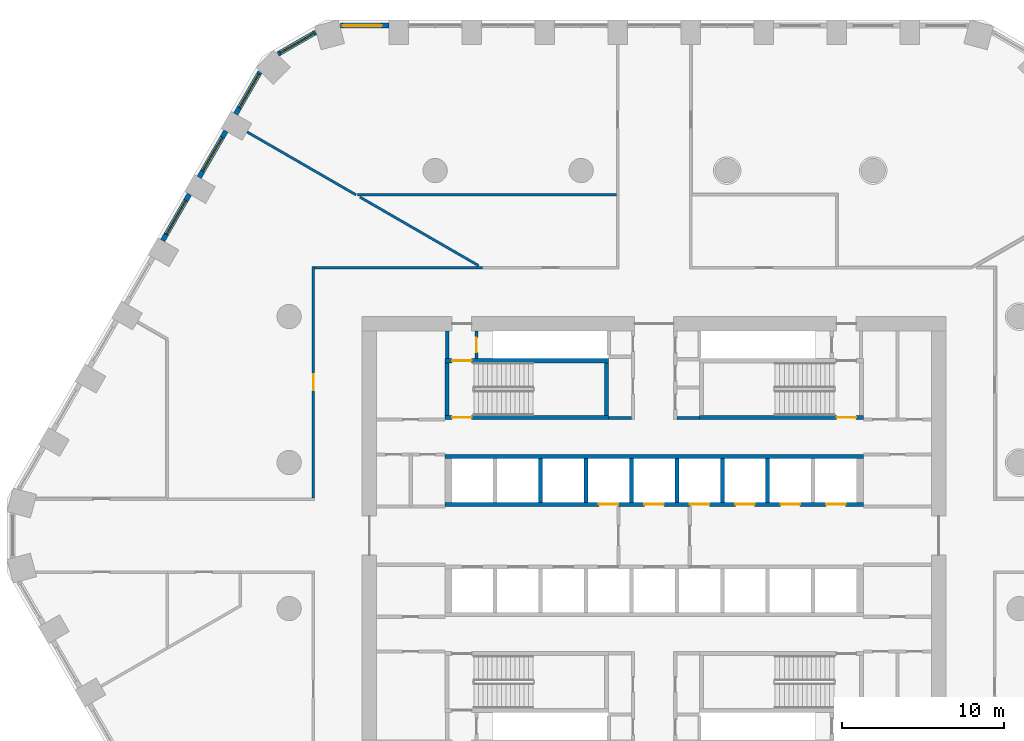
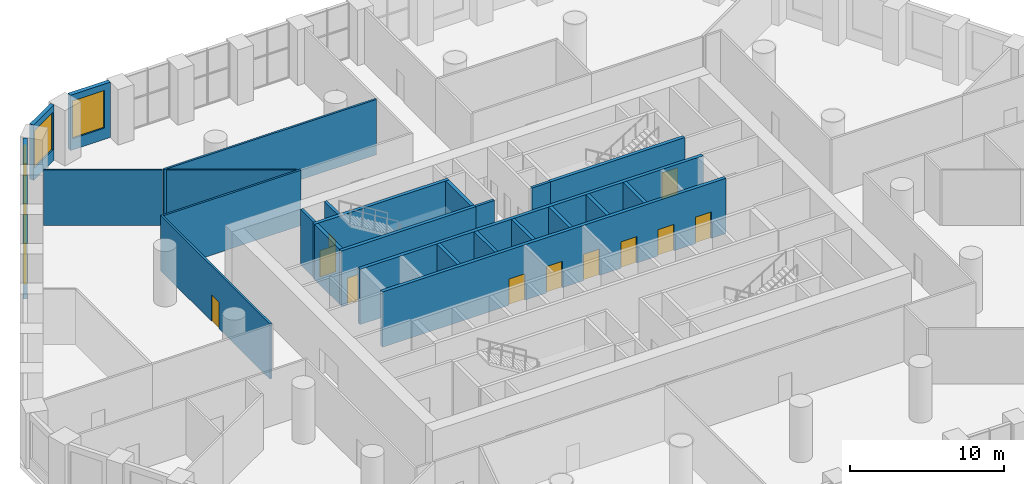
# One storey, part 10 of 26: 27 walls, 11 doors, 5 windows, 16 openings.
"""IFC4 building model written with IfcOpenShell, lengths in metres."""

from ifc_helpers import new_model, si_unit, direction, frame, frame_2d, origin, place, context, subcontext, project, spatial, polyline, rectangle, outline, extrude, material, layer, layer_set, type_object, element, fill, save


model = new_model("IFC4")

# Units and contexts
model_context = context("Model", 3, precision=1e-05, world=origin(), true_north=direction((0.0, 1.0)))
body_context = subcontext(model_context, "Body", "Model", "MODEL_VIEW")
ifc_project = project(units=[si_unit("LENGTHUNIT", "METRE"), si_unit("AREAUNIT", "SQUARE_METRE"), si_unit("VOLUMEUNIT", "CUBIC_METRE"), si_unit("PLANEANGLEUNIT", "RADIAN"), si_unit("MASSUNIT", "GRAM", prefix="KILO")], contexts=[model_context])

# Site, building, storey
site_placement = place(None, origin())
site = spatial("IfcSite", under=ifc_project, at=site_placement, CompositionType="ELEMENT")
building_placement = place(site_placement, origin())
building = spatial("IfcBuilding", under=site, at=building_placement, Name="Dhurran Vertical Campus", CompositionType="ELEMENT")
storey_placement = place(building_placement, frame((0.0, 0.0, 15.60009765625)))
storey = spatial("IfcBuildingStorey", under=building, at=storey_placement, Name="L03", CompositionType="ELEMENT", Elevation=15.60009765625)

# Wall, opening, window
ifc_material_1 = material(Name="Precast concrete C50/60", Category="concrete")
ifc_layer_1 = layer(ifc_material_1, 0.300048828125)
ifc_layer_set_1 = layer_set([ifc_layer_1], Name="Precast concrete C50/60")
wall_type_1 = type_object("IfcWallType", Name="Precast spandrel wall 300", PredefinedType="SOLIDWALL", material=ifc_layer_set_1)
wall_1_placement = place(storey_placement, frame((-16.3505859375, 31.4296875, 0.0), z_axis=(0.0, 0.0, 1.0), x_axis=(-1.0, 0.0, 0.0)))
wall_1 = element("IfcWall", 1, at=wall_1_placement, inside=storey, type_object=wall_type_1, Name="EW1 L03.34", PredefinedType="SOLIDWALL", context=body_context, shape_type="SweptSolid", body=[
    extrude(rectangle(XDim=2.98876953125, YDim=0.300048828125, at=frame_2d((1.494384765625, 0.0))), origin(), (0.0, 0.0, 1.0), 4.39990234375),
])
opening_1_placement = place(wall_1_placement, frame((0.449462890625, 0.0, 0.89990234375)))
opening_1 = element("IfcOpeningElement", 2, at=opening_1_placement, cuts=wall_1, Name="Opening WT2", PredefinedType="OPENING", context=body_context, shape_type="SweptSolid", body=[
    extrude(rectangle(XDim=2.39990234375, YDim=3.0, at=frame_2d((1.199951171875, 1.5))), frame((0.0, 0.159912109375, 0.0), z_axis=(0.0, -1.0, 0.0), x_axis=(1.0, 0.0, 0.0)), (0.0, 0.0, 1.0), 0.320068359375),
])
ifc_material_2 = material(Name="Aluminium frame with solar-control glass", Category="aluminium")
window_type = type_object("IfcWindowType", Name="Podium window 2400 x 3000", PartitioningType="SINGLE_PANEL", PredefinedType="WINDOW", material=ifc_material_2)
window_1_placement = place(opening_1_placement, origin())
window_1 = element("IfcWindow", 3, at=window_1_placement, inside=storey, type_object=window_type, Name="WT2 L03.34", OverallHeight=3.0, OverallWidth=2.39990234375, PartitioningType="SINGLE_PANEL", PredefinedType="WINDOW", context=body_context, shape_type="SweptSolid", body=[
    extrude(rectangle(XDim=2.39990234375, YDim=3.0, at=frame_2d((1.199951171875, 1.5))), frame((0.0, 0.030029296875, 0.0), z_axis=(0.0, -1.0, 0.0), x_axis=(1.0, 0.0, 0.0)), (0.0, 0.0, 1.0), 0.06005859375),
])
fill(opening_1, window_1)

wall_2_placement = place(storey_placement, frame((-20.86376953125, 31.021240234375, 0.0), z_axis=(0.0, 0.0, 1.0), x_axis=(-0.866001915448, -0.500040680786, 0.0)))
wall_2 = element("IfcWall", 4, at=wall_2_placement, inside=storey, type_object=wall_type_1, Name="EW1 L03.35", PredefinedType="SOLIDWALL", context=body_context, shape_type="SweptSolid", body=[
    extrude(rectangle(XDim=2.678466796875, YDim=0.300048828125, at=frame_2d((1.33935546875, 0.0))), origin(), (0.0, 0.0, 1.0), 4.39990234375),
])
opening_2_placement = place(wall_2_placement, frame((0.139404296875, 0.0, 0.89990234375)))
opening_2 = element("IfcOpeningElement", 5, at=opening_2_placement, cuts=wall_2, Name="Opening WT2", PredefinedType="OPENING", context=body_context, shape_type="SweptSolid", body=[
    extrude(rectangle(XDim=2.39990234375, YDim=3.0, at=frame_2d((1.199951171875, 1.5))), frame((0.0, 0.159912109375, 0.0), z_axis=(0.0, -1.0, 0.0), x_axis=(1.0, 0.0, 0.0)), (0.0, 0.0, 1.0), 0.320068359375),
])
window_2_placement = place(opening_2_placement, origin())
window_2 = element("IfcWindow", 6, at=window_2_placement, inside=storey, type_object=window_type, Name="WT2 L03.35", OverallHeight=3.0, OverallWidth=2.39990234375, PartitioningType="SINGLE_PANEL", PredefinedType="WINDOW", context=body_context, shape_type="SweptSolid", body=[
    extrude(rectangle(XDim=2.39990234375, YDim=3.0, at=frame_2d((1.199951171875, 1.5))), frame((0.0, 0.030029296875, 0.0), z_axis=(0.0, -1.0, 0.0), x_axis=(1.0, 0.0, 0.0)), (0.0, 0.0, 1.0), 0.06005859375),
])
fill(opening_2, window_2)

wall_3_placement = place(storey_placement, frame((-24.29931640625, 28.566162109375, 0.0), z_axis=(0.0, 0.0, 1.0), x_axis=(-0.49999586137, -0.866027793211, 0.0)))
wall_3 = element("IfcWall", 7, at=wall_3_placement, inside=storey, type_object=wall_type_1, Name="EW1 L03.36", PredefinedType="SOLIDWALL", context=body_context, shape_type="SweptSolid", body=[
    extrude(rectangle(XDim=2.98876953125, YDim=0.300048828125, at=frame_2d((1.494384765625, 0.0))), origin(), (0.0, 0.0, 1.0), 4.39990234375),
])
opening_3_placement = place(wall_3_placement, frame((0.139404296875, 0.0, 0.89990234375)))
opening_3 = element("IfcOpeningElement", 8, at=opening_3_placement, cuts=wall_3, Name="Opening WT2", PredefinedType="OPENING", context=body_context, shape_type="SweptSolid", body=[
    extrude(rectangle(XDim=2.39990234375, YDim=3.0, at=frame_2d((1.199951171875, 1.5))), frame((0.0, 0.159912109375, 0.0), z_axis=(0.0, -1.0, 0.0), x_axis=(1.0, 0.0, 0.0)), (0.0, 0.0, 1.0), 0.320068359375),
])
window_3_placement = place(opening_3_placement, origin())
window_3 = element("IfcWindow", 9, at=window_3_placement, inside=storey, type_object=window_type, Name="WT2 L03.36", OverallHeight=3.0, OverallWidth=2.39990234375, PartitioningType="SINGLE_PANEL", PredefinedType="WINDOW", context=body_context, shape_type="SweptSolid", body=[
    extrude(rectangle(XDim=2.39990234375, YDim=3.0, at=frame_2d((1.199951171875, 1.5))), frame((0.0, 0.030029296875, 0.0), z_axis=(0.0, -1.0, 0.0), x_axis=(1.0, 0.0, 0.0)), (0.0, 0.0, 1.0), 0.06005859375),
])
fill(opening_3, window_3)

wall_4_placement = place(storey_placement, frame((-26.394287109375, 24.9375, 0.0), z_axis=(0.0, 0.0, 1.0), x_axis=(-0.499991515992, -0.866030301974, 0.0)))
wall_4 = element("IfcWall", 10, at=wall_4_placement, inside=storey, type_object=wall_type_1, Name="EW1 L03.37", PredefinedType="SOLIDWALL", context=body_context, shape_type="SweptSolid", body=[
    extrude(rectangle(XDim=3.298828125, YDim=0.300048828125, at=frame_2d((1.6494140625, 0.0))), origin(), (0.0, 0.0, 1.0), 4.39990234375),
])
opening_4_placement = place(wall_4_placement, frame((0.449462890625, 0.0, 0.89990234375)))
opening_4 = element("IfcOpeningElement", 11, at=opening_4_placement, cuts=wall_4, Name="Opening WT2", PredefinedType="OPENING", context=body_context, shape_type="SweptSolid", body=[
    extrude(rectangle(XDim=2.39990234375, YDim=3.0, at=frame_2d((1.199951171875, 1.5))), frame((0.0, 0.159912109375, 0.0), z_axis=(0.0, -1.0, 0.0), x_axis=(1.0, 0.0, 0.0)), (0.0, 0.0, 1.0), 0.320068359375),
])
window_4_placement = place(opening_4_placement, origin())
window_4 = element("IfcWindow", 12, at=window_4_placement, inside=storey, type_object=window_type, Name="WT2 L03.37", OverallHeight=3.0, OverallWidth=2.39990234375, PartitioningType="SINGLE_PANEL", PredefinedType="WINDOW", context=body_context, shape_type="SweptSolid", body=[
    extrude(rectangle(XDim=2.39990234375, YDim=3.0, at=frame_2d((1.199951171875, 1.5))), frame((0.0, 0.030029296875, 0.0), z_axis=(0.0, -1.0, 0.0), x_axis=(1.0, 0.0, 0.0)), (0.0, 0.0, 1.0), 0.06005859375),
])
fill(opening_4, window_4)

wall_5_placement = place(storey_placement, frame((-28.644287109375, 21.04052734375, 0.0), z_axis=(0.0, 0.0, 1.0), x_axis=(-0.499991515992, -0.866030301974, 0.0)))
wall_5 = element("IfcWall", 13, at=wall_5_placement, inside=storey, type_object=wall_type_1, Name="EW1 L03.38", PredefinedType="SOLIDWALL", context=body_context, shape_type="SweptSolid", body=[
    extrude(rectangle(XDim=3.298828125, YDim=0.300048828125, at=frame_2d((1.6494140625, 0.0))), origin(), (0.0, 0.0, 1.0), 4.39990234375),
])
opening_5_placement = place(wall_5_placement, frame((0.449462890625, 0.0, 0.89990234375)))
opening_5 = element("IfcOpeningElement", 14, at=opening_5_placement, cuts=wall_5, Name="Opening WT2", PredefinedType="OPENING", context=body_context, shape_type="SweptSolid", body=[
    extrude(rectangle(XDim=2.39990234375, YDim=3.0, at=frame_2d((1.199951171875, 1.5))), frame((0.0, 0.159912109375, 0.0), z_axis=(0.0, -1.0, 0.0), x_axis=(1.0, 0.0, 0.0)), (0.0, 0.0, 1.0), 0.320068359375),
])
window_5_placement = place(opening_5_placement, origin())
window_5 = element("IfcWindow", 15, at=window_5_placement, inside=storey, type_object=window_type, Name="WT2 L03.38", OverallHeight=3.0, OverallWidth=2.39990234375, PartitioningType="SINGLE_PANEL", PredefinedType="WINDOW", context=body_context, shape_type="SweptSolid", body=[
    extrude(rectangle(XDim=2.39990234375, YDim=3.0, at=frame_2d((1.199951171875, 1.5))), frame((0.0, 0.030029296875, 0.0), z_axis=(0.0, -1.0, 0.0), x_axis=(1.0, 0.0, 0.0)), (0.0, 0.0, 1.0), 0.06005859375),
])
fill(opening_5, window_5)

# Walls
ifc_material_3 = material(Name="Fire-rated masonry blockwork", Category="masonry")
ifc_layer_2 = layer(ifc_material_3, 0.199951171875)
ifc_layer_set_2 = layer_set([ifc_layer_2], Name="Fire-rated masonry blockwork")
wall_type_2 = type_object("IfcWallType", Name="co-FIRE-PARTITION-200", PredefinedType="PARTITIONING", material=ifc_layer_set_2)
for number, where, z_axis, x_axis, name in (
    (16, (-2.800048828125, 7.25, 0.0), (0.0, 0.0, 1.0), (1.0, 0.0, 0.0), "Core partition sl-NW-S L03"),
    (17, (1.39990234375, 7.25, 0.0), (0.0, 0.0, 1.0), (1.0, 0.0, 0.0), "Core partition sl-NE-S L03"),
):
    element("IfcWall", number, at=place(storey_placement, frame(where, z_axis=z_axis, x_axis=x_axis)), inside=storey, type_object=wall_type_2, Name=name, PredefinedType="PARTITIONING", context=body_context, shape_type="SweptSolid", body=[
        extrude(rectangle(XDim=1.400146484375, YDim=0.199951171875, at=frame_2d((0.7001953125, 0.0))), origin(), (0.0, 0.0, 1.0), 4.39990234375),
    ])
wall_6_placement = place(storey_placement, frame((-12.75, 10.89990234375, 0.0), z_axis=(0.0, 0.0, 1.0), x_axis=(0.0, 1.0, 0.0)))
element("IfcWall", 18, at=wall_6_placement, inside=storey, type_object=wall_type_2, Name="Core partition pass-ST1-o L03", PredefinedType="PARTITIONING", context=body_context, shape_type="SweptSolid", body=[
    extrude(rectangle(XDim=1.7001953125, YDim=0.199951171875, at=frame_2d((0.85009765625, 0.0))), origin(), (0.0, 0.0, 1.0), 4.39990234375),
])

# Wall, opening, door
wall_7_placement = place(storey_placement, frame((-10.949951171875, 10.89990234375, 0.0), z_axis=(0.0, 0.0, 1.0), x_axis=(0.0, 1.0, 0.0)))
wall_7 = element("IfcWall", 19, at=wall_7_placement, inside=storey, type_object=wall_type_2, Name="Core partition pass-ST1-i L03", PredefinedType="PARTITIONING", context=body_context, shape_type="SweptSolid", body=[
    extrude(rectangle(XDim=1.7001953125, YDim=0.199951171875, at=frame_2d((0.85009765625, 0.0))), origin(), (0.0, 0.0, 1.0), 4.39990234375),
])
opening_6_placement = place(wall_7_placement, frame((0.39990234375, 0.0, 0.0)))
opening_6 = element("IfcOpeningElement", 20, at=opening_6_placement, cuts=wall_7, Name="Opening PD03-C10", PredefinedType="OPENING", context=body_context, shape_type="SweptSolid", body=[
    extrude(rectangle(XDim=0.89990234375, YDim=2.10009765625, at=frame_2d((0.449951171875, 1.050048828125))), frame((0.0, 0.10986328125, 0.0), z_axis=(0.0, -1.0, 0.0), x_axis=(1.0, 0.0, 0.0)), (0.0, 0.0, 1.0), 0.219970703125),
])
ifc_material_4 = material(Name="Fire-rated timber door set", Category="wood")
door_type_1 = type_object("IfcDoorType", Name="co-D-ROOM 900x2100", OperationType="SINGLE_SWING_LEFT", PredefinedType="DOOR", material=ifc_material_4)
door_1_placement = place(opening_6_placement, origin())
door_1 = element("IfcDoor", 21, at=door_1_placement, inside=storey, type_object=door_type_1, Name="Riser room door L03", OperationType="SINGLE_SWING_LEFT", OverallHeight=2.10009765625, OverallWidth=0.89990234375, PredefinedType="DOOR", context=body_context, shape_type="SweptSolid", body=[
    extrude(rectangle(XDim=0.89990234375, YDim=2.10009765625, at=frame_2d((0.449951171875, 1.050048828125))), frame((0.0, 0.02490234375, 0.0), z_axis=(0.0, -1.0, 0.0), x_axis=(1.0, 0.0, 0.0)), (0.0, 0.0, 1.0), 0.050048828125),
])
fill(opening_6, door_1)

# Wall, openings, doors
ifc_material_5 = material(Name="Concrete C50/60", Category="concrete")
ifc_layer_3 = layer(ifc_material_5, 0.25)
ifc_layer_set_3 = layer_set([ifc_layer_3], Name="Concrete C50/60")
wall_type_3 = type_object("IfcWallType", Name="co-SHAFT-FRONT-250", PredefinedType="SHEAR", material=ifc_layer_set_3)
wall_8_placement = place(storey_placement, frame((-12.89990234375, 1.925048828125, 0.0), z_axis=(0.0, 0.0, 1.0), x_axis=(1.0, 0.0, 0.0)))
wall_8 = element("IfcWall", 22, at=wall_8_placement, inside=storey, type_object=wall_type_3, Name="Lift landing wall N L03", PredefinedType="SHEAR", context=body_context, shape_type="SweptSolid", body=[
    extrude(rectangle(XDim=25.7998046875, YDim=0.25, at=frame_2d((12.89990234375, 0.0))), origin(), (0.0, 0.0, 1.0), 4.39990234375),
])
opening_7_placement = place(wall_8_placement, frame((9.5, 0.0, 0.0)))
opening_7 = element("IfcOpeningElement", 23, at=opening_7_placement, cuts=wall_8, Name="Opening LD", PredefinedType="OPENING", context=body_context, shape_type="SweptSolid", body=[
    extrude(rectangle(XDim=1.199951171875, YDim=2.10009765625, at=frame_2d((0.60009765625, 1.050048828125))), frame((0.0, 0.135009765625, 0.0), z_axis=(0.0, -1.0, 0.0), x_axis=(1.0, 0.0, 0.0)), (0.0, 0.0, 1.0), 0.27001953125),
])
opening_8_placement = place(wall_8_placement, frame((12.300048828125, 0.0, 0.0)))
opening_8 = element("IfcOpeningElement", 24, at=opening_8_placement, cuts=wall_8, Name="Opening LD", PredefinedType="OPENING", context=body_context, shape_type="SweptSolid", body=[
    extrude(rectangle(XDim=1.199951171875, YDim=2.10009765625, at=frame_2d((0.60009765625, 1.050048828125))), frame((0.0, 0.135009765625, 0.0), z_axis=(0.0, -1.0, 0.0), x_axis=(1.0, 0.0, 0.0)), (0.0, 0.0, 1.0), 0.27001953125),
])
opening_9_placement = place(wall_8_placement, frame((15.10009765625, 0.0, 0.0)))
opening_9 = element("IfcOpeningElement", 25, at=opening_9_placement, cuts=wall_8, Name="Opening LD", PredefinedType="OPENING", context=body_context, shape_type="SweptSolid", body=[
    extrude(rectangle(XDim=1.199951171875, YDim=2.10009765625, at=frame_2d((0.60009765625, 1.050048828125))), frame((0.0, 0.135009765625, 0.0), z_axis=(0.0, -1.0, 0.0), x_axis=(1.0, 0.0, 0.0)), (0.0, 0.0, 1.0), 0.27001953125),
])
opening_10_placement = place(wall_8_placement, frame((17.89990234375, 0.0, 0.0)))
opening_10 = element("IfcOpeningElement", 26, at=opening_10_placement, cuts=wall_8, Name="Opening LD", PredefinedType="OPENING", context=body_context, shape_type="SweptSolid", body=[
    extrude(rectangle(XDim=1.199951171875, YDim=2.10009765625, at=frame_2d((0.60009765625, 1.050048828125))), frame((0.0, 0.135009765625, 0.0), z_axis=(0.0, -1.0, 0.0), x_axis=(1.0, 0.0, 0.0)), (0.0, 0.0, 1.0), 0.27001953125),
])
opening_11_placement = place(wall_8_placement, frame((20.699951171875, 0.0, 0.0)))
opening_11 = element("IfcOpeningElement", 27, at=opening_11_placement, cuts=wall_8, Name="Opening LD", PredefinedType="OPENING", context=body_context, shape_type="SweptSolid", body=[
    extrude(rectangle(XDim=1.199951171875, YDim=2.10009765625, at=frame_2d((0.60009765625, 1.050048828125))), frame((0.0, 0.135009765625, 0.0), z_axis=(0.0, -1.0, 0.0), x_axis=(1.0, 0.0, 0.0)), (0.0, 0.0, 1.0), 0.27001953125),
])
opening_12_placement = place(wall_8_placement, frame((23.5, 0.0, 0.0)))
opening_12 = element("IfcOpeningElement", 28, at=opening_12_placement, cuts=wall_8, Name="Opening LD", PredefinedType="OPENING", context=body_context, shape_type="SweptSolid", body=[
    extrude(rectangle(XDim=1.199951171875, YDim=2.10009765625, at=frame_2d((0.60009765625, 1.050048828125))), frame((0.0, 0.135009765625, 0.0), z_axis=(0.0, -1.0, 0.0), x_axis=(1.0, 0.0, 0.0)), (0.0, 0.0, 1.0), 0.27001953125),
])
ifc_material_6 = material(Name="Stainless steel landing door", Category="steel")
door_type_2 = type_object("IfcDoorType", Name="co-D-LANDING 1200x2100", OperationType="DOUBLE_DOOR_SLIDING", PredefinedType="DOOR", material=ifc_material_6)
door_2_placement = place(opening_7_placement, origin())
door_2 = element("IfcDoor", 29, at=door_2_placement, inside=storey, type_object=door_type_2, Name="Landing door LR1 L03", OperationType="DOUBLE_DOOR_SLIDING", OverallHeight=2.10009765625, OverallWidth=1.199951171875, PredefinedType="DOOR", context=body_context, shape_type="SweptSolid", body=[
    extrude(rectangle(XDim=1.199951171875, YDim=2.10009765625, at=frame_2d((0.60009765625, 1.050048828125))), frame((0.0, 0.02490234375, 0.0), z_axis=(0.0, -1.0, 0.0), x_axis=(1.0, 0.0, 0.0)), (0.0, 0.0, 1.0), 0.050048828125),
])
fill(opening_7, door_2)
door_3_placement = place(opening_8_placement, origin())
door_3 = element("IfcDoor", 30, at=door_3_placement, inside=storey, type_object=door_type_2, Name="Landing door FF1 L03", OperationType="DOUBLE_DOOR_SLIDING", OverallHeight=2.10009765625, OverallWidth=1.199951171875, PredefinedType="DOOR", context=body_context, shape_type="SweptSolid", body=[
    extrude(rectangle(XDim=1.199951171875, YDim=2.10009765625, at=frame_2d((0.60009765625, 1.050048828125))), frame((0.0, 0.02490234375, 0.0), z_axis=(0.0, -1.0, 0.0), x_axis=(1.0, 0.0, 0.0)), (0.0, 0.0, 1.0), 0.050048828125),
])
fill(opening_8, door_3)
door_4_placement = place(opening_9_placement, origin())
door_4 = element("IfcDoor", 31, at=door_4_placement, inside=storey, type_object=door_type_2, Name="Landing door LR2 L03", OperationType="DOUBLE_DOOR_SLIDING", OverallHeight=2.10009765625, OverallWidth=1.199951171875, PredefinedType="DOOR", context=body_context, shape_type="SweptSolid", body=[
    extrude(rectangle(XDim=1.199951171875, YDim=2.10009765625, at=frame_2d((0.60009765625, 1.050048828125))), frame((0.0, 0.02490234375, 0.0), z_axis=(0.0, -1.0, 0.0), x_axis=(1.0, 0.0, 0.0)), (0.0, 0.0, 1.0), 0.050048828125),
])
fill(opening_9, door_4)
door_5_placement = place(opening_10_placement, origin())
door_5 = element("IfcDoor", 32, at=door_5_placement, inside=storey, type_object=door_type_2, Name="Landing door LR3 L03", OperationType="DOUBLE_DOOR_SLIDING", OverallHeight=2.10009765625, OverallWidth=1.199951171875, PredefinedType="DOOR", context=body_context, shape_type="SweptSolid", body=[
    extrude(rectangle(XDim=1.199951171875, YDim=2.10009765625, at=frame_2d((0.60009765625, 1.050048828125))), frame((0.0, 0.02490234375, 0.0), z_axis=(0.0, -1.0, 0.0), x_axis=(1.0, 0.0, 0.0)), (0.0, 0.0, 1.0), 0.050048828125),
])
fill(opening_10, door_5)
door_6_placement = place(opening_11_placement, origin())
door_6 = element("IfcDoor", 33, at=door_6_placement, inside=storey, type_object=door_type_2, Name="Landing door LR4 L03", OperationType="DOUBLE_DOOR_SLIDING", OverallHeight=2.10009765625, OverallWidth=1.199951171875, PredefinedType="DOOR", context=body_context, shape_type="SweptSolid", body=[
    extrude(rectangle(XDim=1.199951171875, YDim=2.10009765625, at=frame_2d((0.60009765625, 1.050048828125))), frame((0.0, 0.02490234375, 0.0), z_axis=(0.0, -1.0, 0.0), x_axis=(1.0, 0.0, 0.0)), (0.0, 0.0, 1.0), 0.050048828125),
])
fill(opening_11, door_6)
door_7_placement = place(opening_12_placement, origin())
door_7 = element("IfcDoor", 34, at=door_7_placement, inside=storey, type_object=door_type_2, Name="Landing door SV2 L03", OperationType="DOUBLE_DOOR_SLIDING", OverallHeight=2.10009765625, OverallWidth=1.199951171875, PredefinedType="DOOR", context=body_context, shape_type="SweptSolid", body=[
    extrude(rectangle(XDim=1.199951171875, YDim=2.10009765625, at=frame_2d((0.60009765625, 1.050048828125))), frame((0.0, 0.02490234375, 0.0), z_axis=(0.0, -1.0, 0.0), x_axis=(1.0, 0.0, 0.0)), (0.0, 0.0, 1.0), 0.050048828125),
])
fill(opening_12, door_7)

# Walls
ifc_material_7 = material(Name="Concrete C50/60", Category="concrete")
ifc_layer_4 = layer(ifc_material_7, 0.25)
ifc_layer_set_4 = layer_set([ifc_layer_4], Name="Concrete C50/60")
wall_type_4 = type_object("IfcWallType", Name="co-SHAFT-MASS-250", PredefinedType="SHEAR", material=ifc_layer_set_4)
wall_9_placement = place(storey_placement, origin())
element("IfcWall", 35, at=wall_9_placement, inside=storey, type_object=wall_type_4, Name="Lift shaft wall N L03 1", PredefinedType="SHEAR", context=body_context, shape_type="SweptSolid", body=[
    extrude(outline(polyline([(-12.89990234375, 4.75), (12.89990234375, 4.75), (12.89990234375, 5.0), (-12.89990234375, 5.0), (-12.89990234375, 4.75)])), origin(), (0.0, 0.0, 1.0), 4.39990234375),
])
wall_10_placement = place(storey_placement, origin())
element("IfcWall", 36, at=wall_10_placement, inside=storey, type_object=wall_type_4, Name="Lift shaft wall N L03 4", PredefinedType="SHEAR", context=body_context, shape_type="SweptSolid", body=[
    extrude(outline(polyline([(-7.125, 2.050048828125), (-6.875, 2.050048828125), (-6.875, 4.75), (-7.125, 4.75), (-7.125, 2.050048828125)])), origin(), (0.0, 0.0, 1.0), 4.39990234375),
])
wall_11_placement = place(storey_placement, origin())
element("IfcWall", 37, at=wall_11_placement, inside=storey, type_object=wall_type_4, Name="Lift shaft wall N L03 5", PredefinedType="SHEAR", context=body_context, shape_type="SweptSolid", body=[
    extrude(outline(polyline([(-4.324951171875, 2.050048828125), (-4.074951171875, 2.050048828125), (-4.074951171875, 4.75), (-4.324951171875, 4.75), (-4.324951171875, 2.050048828125)])), origin(), (0.0, 0.0, 1.0), 4.39990234375),
])
wall_12_placement = place(storey_placement, origin())
element("IfcWall", 38, at=wall_12_placement, inside=storey, type_object=wall_type_4, Name="Lift shaft wall N L03 6", PredefinedType="SHEAR", context=body_context, shape_type="SweptSolid", body=[
    extrude(outline(polyline([(-1.52490234375, 2.050048828125), (-1.27490234375, 2.050048828125), (-1.27490234375, 4.75), (-1.52490234375, 4.75), (-1.52490234375, 2.050048828125)])), origin(), (0.0, 0.0, 1.0), 4.39990234375),
])
wall_13_placement = place(storey_placement, origin())
element("IfcWall", 39, at=wall_13_placement, inside=storey, type_object=wall_type_4, Name="Lift shaft wall N L03 7", PredefinedType="SHEAR", context=body_context, shape_type="SweptSolid", body=[
    extrude(outline(polyline([(1.27490234375, 2.050048828125), (1.52490234375, 2.050048828125), (1.52490234375, 4.75), (1.27490234375, 4.75), (1.27490234375, 2.050048828125)])), origin(), (0.0, 0.0, 1.0), 4.39990234375),
])
wall_14_placement = place(storey_placement, origin())
element("IfcWall", 40, at=wall_14_placement, inside=storey, type_object=wall_type_4, Name="Lift shaft wall N L03 8", PredefinedType="SHEAR", context=body_context, shape_type="SweptSolid", body=[
    extrude(outline(polyline([(4.074951171875, 2.050048828125), (4.324951171875, 2.050048828125), (4.324951171875, 4.75), (4.074951171875, 4.75), (4.074951171875, 2.050048828125)])), origin(), (0.0, 0.0, 1.0), 4.39990234375),
])
wall_15_placement = place(storey_placement, origin())
element("IfcWall", 41, at=wall_15_placement, inside=storey, type_object=wall_type_4, Name="Lift shaft wall N L03 9", PredefinedType="SHEAR", context=body_context, shape_type="SweptSolid", body=[
    extrude(outline(polyline([(6.875, 2.050048828125), (7.125, 2.050048828125), (7.125, 4.75), (6.875, 4.75), (6.875, 2.050048828125)])), origin(), (0.0, 0.0, 1.0), 4.39990234375),
])

# Wall, opening, door
ifc_material_8 = material(Name="Concrete C40/50", Category="concrete")
ifc_layer_5 = layer(ifc_material_8, 0.25)
ifc_layer_set_5 = layer_set([ifc_layer_5], Name="Concrete C40/50")
wall_type_5 = type_object("IfcWallType", Name="co-STAIR-WALL-250", PredefinedType="SHEAR", material=ifc_layer_set_5)
wall_16_placement = place(storey_placement, frame((-12.89990234375, 7.27490234375, 0.0), z_axis=(0.0, 0.0, 1.0), x_axis=(1.0, 0.0, 0.0)))
wall_16 = element("IfcWall", 42, at=wall_16_placement, inside=storey, type_object=wall_type_5, Name="Stair ST1 enclosure wall L03", PredefinedType="SHEAR", context=body_context, shape_type="SweptSolid", body=[
    extrude(rectangle(XDim=10.099853515625, YDim=0.25, at=frame_2d((5.0498046875, 0.0))), origin(), (0.0, 0.0, 1.0), 4.39990234375),
])
opening_13_placement = place(wall_16_placement, frame((0.449951171875, 0.0, 0.0)))
opening_13 = element("IfcOpeningElement", 43, at=opening_13_placement, cuts=wall_16, Name="Opening SD1", PredefinedType="OPENING", context=body_context, shape_type="SweptSolid", body=[
    extrude(rectangle(XDim=1.199951171875, YDim=2.10009765625, at=frame_2d((0.60009765625, 1.050048828125))), frame((0.0, 0.135009765625, 0.0), z_axis=(0.0, -1.0, 0.0), x_axis=(1.0, 0.0, 0.0)), (0.0, 0.0, 1.0), 0.27001953125),
])
ifc_material_9 = material(Name="Fire-rated steel door set", Category="steel")
door_type_3 = type_object("IfcDoorType", Name="co-D-STAIR 1200x2100", OperationType="SINGLE_SWING_LEFT", PredefinedType="DOOR", material=ifc_material_9)
door_8_placement = place(opening_13_placement, origin())
door_8 = element("IfcDoor", 44, at=door_8_placement, inside=storey, type_object=door_type_3, Name="Stair ST1 door L03", OperationType="SINGLE_SWING_LEFT", OverallHeight=2.10009765625, OverallWidth=1.199951171875, PredefinedType="DOOR", context=body_context, shape_type="SweptSolid", body=[
    extrude(rectangle(XDim=1.199951171875, YDim=2.10009765625, at=frame_2d((0.60009765625, 1.050048828125))), frame((0.0, 0.02490234375, 0.0), z_axis=(0.0, -1.0, 0.0), x_axis=(1.0, 0.0, 0.0)), (0.0, 0.0, 1.0), 0.050048828125),
])
fill(opening_13, door_8)

wall_17_placement = place(storey_placement, frame((-12.89990234375, 10.77490234375, 0.0), z_axis=(0.0, 0.0, 1.0), x_axis=(1.0, 0.0, 0.0)))
wall_17 = element("IfcWall", 45, at=wall_17_placement, inside=storey, type_object=wall_type_5, Name="Stair ST1 enclosure wall L03", PredefinedType="SHEAR", context=body_context, shape_type="SweptSolid", body=[
    extrude(rectangle(XDim=10.099853515625, YDim=0.25, at=frame_2d((5.0498046875, 0.0))), origin(), (0.0, 0.0, 1.0), 4.39990234375),
])
opening_14_placement = place(wall_17_placement, frame((0.449951171875, 0.0, 0.0)))
opening_14 = element("IfcOpeningElement", 46, at=opening_14_placement, cuts=wall_17, Name="Opening XS1", PredefinedType="OPENING", context=body_context, shape_type="SweptSolid", body=[
    extrude(rectangle(XDim=1.199951171875, YDim=2.10009765625, at=frame_2d((0.60009765625, 1.050048828125))), frame((0.0, 0.135009765625, 0.0), z_axis=(0.0, -1.0, 0.0), x_axis=(1.0, 0.0, 0.0)), (0.0, 0.0, 1.0), 0.27001953125),
])
ifc_material_10 = material(Name="Fire-rated steel door set", Category="steel")
door_type_4 = type_object("IfcDoorType", Name="co-D-STAIR-EXIT 1200x2100", OperationType="SINGLE_SWING_RIGHT", PredefinedType="DOOR", material=ifc_material_10)
door_9_placement = place(opening_14_placement, origin())
door_9 = element("IfcDoor", 47, at=door_9_placement, inside=storey, type_object=door_type_4, Name="Stair ST1 discharge door L03", OperationType="SINGLE_SWING_RIGHT", OverallHeight=2.10009765625, OverallWidth=1.199951171875, PredefinedType="DOOR", context=body_context, shape_type="SweptSolid", body=[
    extrude(rectangle(XDim=1.199951171875, YDim=2.10009765625, at=frame_2d((0.60009765625, 1.050048828125))), frame((0.0, 0.02490234375, 0.0), z_axis=(0.0, -1.0, 0.0), x_axis=(1.0, 0.0, 0.0)), (0.0, 0.0, 1.0), 0.050048828125),
])
fill(opening_14, door_9)

# Walls
for number, where, z_axis, x_axis, name in (
    (48, (-12.77490234375, 7.39990234375, 0.0), (0.0, 0.0, 1.0), (0.0, 1.0, 0.0), "Stair ST1 enclosure wall L03"),
    (49, (-2.925048828125, 7.39990234375, 0.0), (0.0, 0.0, 1.0), (0.0, 1.0, 0.0), "Stair ST1 enclosure wall L03"),
):
    element("IfcWall", number, at=place(storey_placement, frame(where, z_axis=z_axis, x_axis=x_axis)), inside=storey, type_object=wall_type_5, Name=name, PredefinedType="SHEAR", context=body_context, shape_type="SweptSolid", body=[
        extrude(rectangle(XDim=3.25, YDim=0.25, at=frame_2d((1.625, 0.0))), origin(), (0.0, 0.0, 1.0), 4.39990234375),
    ])

# Wall, opening, door
wall_18_placement = place(storey_placement, frame((2.800048828125, 7.27490234375, 0.0), z_axis=(0.0, 0.0, 1.0), x_axis=(1.0, 0.0, 0.0)))
wall_18 = element("IfcWall", 50, at=wall_18_placement, inside=storey, type_object=wall_type_5, Name="Stair ST2 enclosure wall L03", PredefinedType="SHEAR", context=body_context, shape_type="SweptSolid", body=[
    extrude(rectangle(XDim=10.099853515625, YDim=0.25, at=frame_2d((5.0498046875, 0.0))), origin(), (0.0, 0.0, 1.0), 4.39990234375),
])
opening_15_placement = place(wall_18_placement, frame((8.449951171875, 0.0, 0.0)))
opening_15 = element("IfcOpeningElement", 51, at=opening_15_placement, cuts=wall_18, Name="Opening SD2", PredefinedType="OPENING", context=body_context, shape_type="SweptSolid", body=[
    extrude(rectangle(XDim=1.199951171875, YDim=2.10009765625, at=frame_2d((0.60009765625, 1.050048828125))), frame((0.0, 0.135009765625, 0.0), z_axis=(0.0, -1.0, 0.0), x_axis=(1.0, 0.0, 0.0)), (0.0, 0.0, 1.0), 0.27001953125),
])
door_10_placement = place(opening_15_placement, origin())
door_10 = element("IfcDoor", 52, at=door_10_placement, inside=storey, type_object=door_type_3, Name="Stair ST2 door L03", OperationType="SINGLE_SWING_LEFT", OverallHeight=2.10009765625, OverallWidth=1.199951171875, PredefinedType="DOOR", context=body_context, shape_type="SweptSolid", body=[
    extrude(rectangle(XDim=1.199951171875, YDim=2.10009765625, at=frame_2d((0.60009765625, 1.050048828125))), frame((0.0, 0.02490234375, 0.0), z_axis=(0.0, -1.0, 0.0), x_axis=(1.0, 0.0, 0.0)), (0.0, 0.0, 1.0), 0.050048828125),
])
fill(opening_15, door_10)

ifc_material_11 = material(Name="Gypsum board corridor wall on steel studs", Category="steel")
ifc_layer_6 = layer(ifc_material_11, 0.14990234375)
ifc_layer_set_6 = layer_set([ifc_layer_6], Name="Gypsum board corridor wall on steel studs")
wall_type_6 = type_object("IfcWallType", Name="fl-CW-150 corridor wall", PredefinedType="PARTITIONING", material=ifc_layer_set_6)
wall_19_placement = place(storey_placement, frame((-21.0, 16.574951171875, 0.0), z_axis=(0.0, 0.0, 1.0), x_axis=(0.0, -1.0, 0.0)))
wall_19 = element("IfcWall", 53, at=wall_19_placement, inside=storey, type_object=wall_type_6, Name="Partition 03-16", PredefinedType="PARTITIONING", context=body_context, shape_type="SweptSolid", body=[
    extrude(rectangle(XDim=14.25, YDim=0.14990234375, at=frame_2d((7.125, 0.0))), origin(), (0.0, 0.0, 1.0), 4.39990234375),
])
opening_16_placement = place(wall_19_placement, frame((6.625, 0.0, 0.0)))
opening_16 = element("IfcOpeningElement", 54, at=opening_16_placement, cuts=wall_19, Name="Opening PD03.05", PredefinedType="OPENING", context=body_context, shape_type="SweptSolid", body=[
    extrude(rectangle(XDim=1.0, YDim=2.10009765625, at=frame_2d((0.5, 1.050048828125))), frame((0.0, 0.0849609375, 0.0), z_axis=(0.0, -1.0, 0.0), x_axis=(1.0, 0.0, 0.0)), (0.0, 0.0, 1.0), 0.169921875),
])
ifc_material_12 = material(Name="Solid-core timber door set, fire-rated", Category="wood")
door_type_5 = type_object("IfcDoorType", Name="fl-D-1000x2100", OperationType="SINGLE_SWING_LEFT", PredefinedType="DOOR", material=ifc_material_12)
door_11_placement = place(opening_16_placement, origin())
door_11 = element("IfcDoor", 55, at=door_11_placement, inside=storey, type_object=door_type_5, Name="Door 03.05", OperationType="SINGLE_SWING_RIGHT", OverallHeight=2.10009765625, OverallWidth=1.0, PredefinedType="DOOR", context=body_context, shape_type="SweptSolid", body=[
    extrude(rectangle(XDim=1.0, YDim=2.10009765625, at=frame_2d((0.5, 1.050048828125))), frame((0.0, 0.02490234375, 0.0), z_axis=(0.0, -1.0, 0.0), x_axis=(1.0, 0.0, 0.0)), (0.0, 0.0, 1.0), 0.050048828125),
])
fill(opening_16, door_11)

# Walls
wall_20_placement = place(storey_placement, frame((-10.5791015625, 16.5, 0.0), z_axis=(0.0, 0.0, 1.0), x_axis=(-1.0, 0.0, 0.0)))
element("IfcWall", 56, at=wall_20_placement, inside=storey, type_object=wall_type_6, Name="Partition 03-17", PredefinedType="PARTITIONING", context=body_context, shape_type="SweptSolid", body=[
    extrude(rectangle(XDim=10.345947265625, YDim=0.14990234375, at=frame_2d((5.1728515625, 0.0))), origin(), (0.0, 0.0, 1.0), 4.39990234375),
])
ifc_material_13 = material(Name="Gypsum board partition on steel studs", Category="steel")
ifc_layer_7 = layer(ifc_material_13, 0.14990234375)
ifc_layer_set_7 = layer_set([ifc_layer_7], Name="Gypsum board partition on steel studs")
wall_type_7 = type_object("IfcWallType", Name="fl-PW-150 fixed partition", PredefinedType="PARTITIONING", material=ifc_layer_set_7)
wall_21_placement = place(storey_placement, frame((-25.08056640625, 24.873046875, 0.0), z_axis=(0.0, 0.0, 1.0), x_axis=(0.865999760466, -0.500044412901, 0.0)))
element("IfcWall", 57, at=wall_21_placement, inside=storey, type_object=wall_type_7, Name="Partition 03-11", PredefinedType="PARTITIONING", context=body_context, shape_type="SweptSolid", body=[
    extrude(rectangle(XDim=7.745361328125, YDim=0.14990234375, at=frame_2d((3.87255859375, 0.0))), origin(), (0.0, 0.0, 1.0), 4.39990234375),
])
wall_22_placement = place(storey_placement, frame((-18.134765625, 20.862548828125, 0.0), z_axis=(0.0, 0.0, 1.0), x_axis=(0.866011886744, -0.50002341147, 0.0)))
element("IfcWall", 58, at=wall_22_placement, inside=storey, type_object=wall_type_7, Name="Partition 03-20", PredefinedType="PARTITIONING", context=body_context, shape_type="SweptSolid", body=[
    extrude(rectangle(XDim=8.44970703125, YDim=0.14990234375, at=frame_2d((4.224853515625, 0.0))), origin(), (0.0, 0.0, 1.0), 4.39990234375),
])
wall_23_placement = place(storey_placement, frame((-2.324951171875, 21.0, 0.0), z_axis=(0.0, 0.0, 1.0), x_axis=(-1.0, 0.0, 0.0)))
element("IfcWall", 59, at=wall_23_placement, inside=storey, type_object=wall_type_7, Name="Partition 03-21", PredefinedType="PARTITIONING", context=body_context, shape_type="SweptSolid", body=[
    extrude(rectangle(XDim=15.97314453125, YDim=0.14990234375, at=frame_2d((7.986572265625, 0.0))), origin(), (0.0, 0.0, 1.0), 4.39990234375),
])

save(model, "model.ifc")
